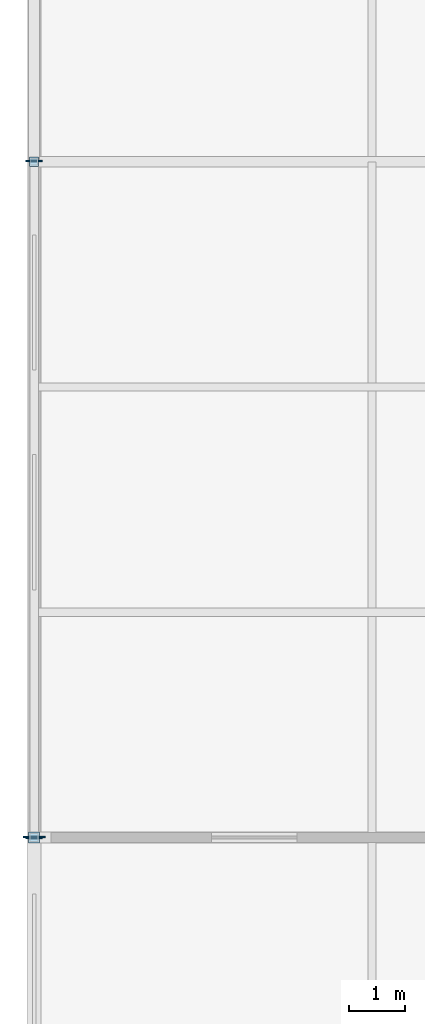
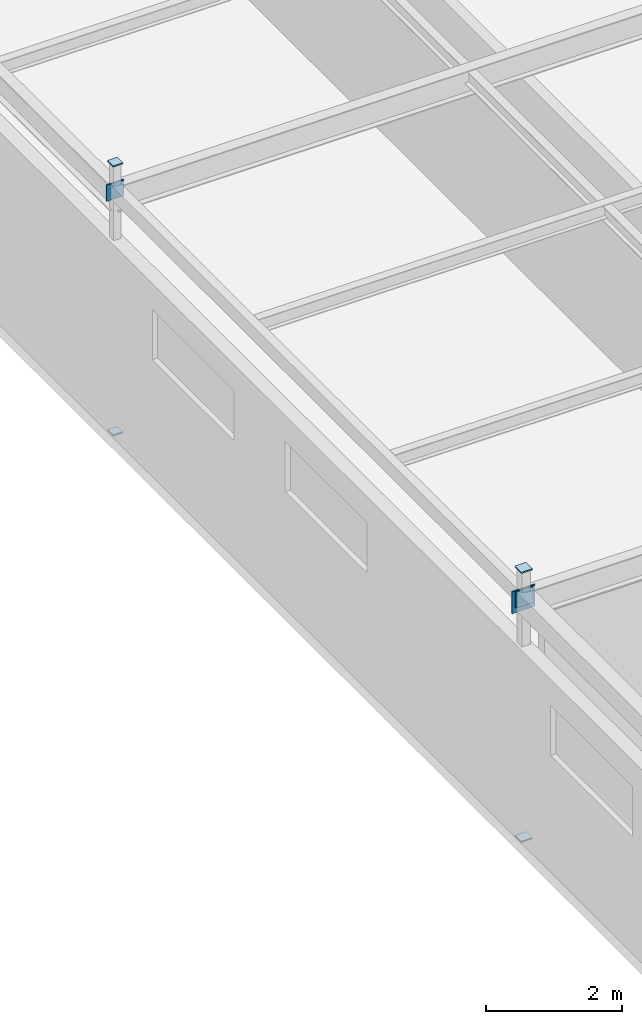
# One storey, part 137 of 186: 7 plates.
"""IFC4 building model written with IfcOpenShell, lengths in metres."""

from ifc_helpers import new_model, si_unit, direction, frame, origin, origin_2d, place, context, subcontext, project, spatial, rectangle, extrude, material, layer, layer_set, type_object, element, save


model = new_model("IFC4")

# Units and contexts
model_context = context("Model", 3, precision=1e-05, world=origin(), true_north=direction((0.0, 1.0)))
body_context = subcontext(model_context, "Body", "Model", "MODEL_VIEW")
ifc_project = project(units=[si_unit("LENGTHUNIT", "METRE"), si_unit("AREAUNIT", "SQUARE_METRE"), si_unit("VOLUMEUNIT", "CUBIC_METRE"), si_unit("PLANEANGLEUNIT", "RADIAN"), si_unit("MASSUNIT", "GRAM", prefix="KILO")], contexts=[model_context])

# Site, building, storey
site_placement = place(None, origin())
site = spatial("IfcSite", under=ifc_project, at=site_placement, CompositionType="ELEMENT")
building_placement = place(site_placement, origin())
building = spatial("IfcBuilding", under=site, at=building_placement, Name="Tarnwether General Hospital", CompositionType="ELEMENT")
storey_placement = place(building_placement, frame((0.0, 0.0, 9.60009765625)))
storey = spatial("IfcBuildingStorey", under=building, at=storey_placement, Name="L02", CompositionType="ELEMENT", Elevation=9.60009765625)

# Plates
ifc_material = material(Name="Steel Grade 350 (350 MPa)", Category="steel")
ifc_layer = layer(ifc_material, 0.02490234375)
ifc_layer_set = layer_set([ifc_layer], Name="Steel Grade 350 (350 MPa)")
plate_type = type_object("IfcPlateType", Name="PT-GUS2", PredefinedType="USERDEFINED", material=ifc_layer_set)
for number, where, z_axis, x_axis, name in (
    (1, (0.0, 81.60009765625, -0.025146484375), (0.0, 0.0, 1.0), (1.0, 0.0, 0.0), "Hollow Section Welded End Cap Plate 0017"),
    (2, (0.0, 81.60009765625, 4.800048828125), (0.0, 0.0, 1.0), (1.0, 0.0, 0.0), "Hollow Section Welded End Cap Plate 0018"),
):
    element("IfcPlate", number, at=place(storey_placement, frame(where, z_axis=z_axis, x_axis=x_axis)), inside=storey, type_object=plate_type, Name=name, ObjectType="GUSSET", PredefinedType="USERDEFINED", context=body_context, shape_type="SweptSolid", body=[
        extrude(rectangle(XDim=0.18994140625, YDim=0.18994140625, at=origin_2d()), origin(), (0.0, 0.0, 1.0), 0.02490234375),
    ])
for number, where, z_axis, x_axis, name in (
    (3, (0.0, 93.60009765625, -0.025146484375), (0.0, 0.0, 1.0), (1.0, 0.0, 0.0), "Hollow Section Welded End Cap Plate 0021"),
    (4, (0.0, 93.60009765625, 4.800048828125), (0.0, 0.0, 1.0), (1.0, 0.0, 0.0), "Hollow Section Welded End Cap Plate 0022"),
):
    element("IfcPlate", number, at=place(storey_placement, frame(where, z_axis=z_axis, x_axis=x_axis)), inside=storey, type_object=plate_type, Name=name, ObjectType="GUSSET", PredefinedType="USERDEFINED", context=body_context, shape_type="SweptSolid", body=[
        extrude(rectangle(XDim=0.1650390625, YDim=0.1650390625, at=origin_2d()), origin(), (0.0, 0.0, 1.0), 0.02490234375),
    ])
plate_placement = place(storey_placement, frame((0.0, 81.612548828125, 4.06005859375), z_axis=(0.0, 0.0, 1.0), x_axis=(0.0, 1.0, 0.0)))
element("IfcPlate", 5, at=plate_placement, inside=storey, type_object=plate_type, Name="Hollow Section Welded End Cap Plate 0950", ObjectType="GUSSET", PredefinedType="USERDEFINED", context=body_context, shape_type="SweptSolid", body=[
    extrude(rectangle(XDim=0.02490234375, YDim=0.389892578125, at=origin_2d()), origin(), (0.0, 0.0, 1.0), 0.389892578125),
])
for number, where, z_axis, x_axis, name in (
    (6, (0.0, 81.58740234375, 4.159912109375), (0.0, 0.0, 1.0), (0.0, 1.0, 0.0), "Hollow Section Welded End Cap Plate 0951"),
    (7, (0.0, 93.612548828125, 4.159912109375), (0.0, 0.0, 1.0), (0.0, 1.0, 0.0), "Hollow Section Welded End Cap Plate 0952"),
):
    element("IfcPlate", number, at=place(storey_placement, frame(where, z_axis=z_axis, x_axis=x_axis)), inside=storey, type_object=plate_type, Name=name, ObjectType="GUSSET", PredefinedType="USERDEFINED", context=body_context, shape_type="SweptSolid", body=[
        extrude(rectangle(XDim=0.02490234375, YDim=0.2900390625, at=origin_2d()), origin(), (0.0, 0.0, 1.0), 0.2900390625),
    ])

save(model, "model.ifc")
